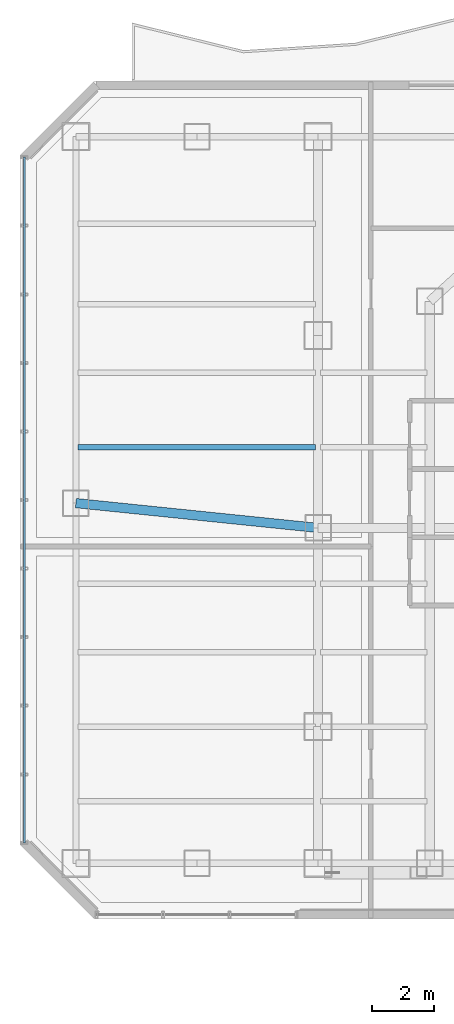
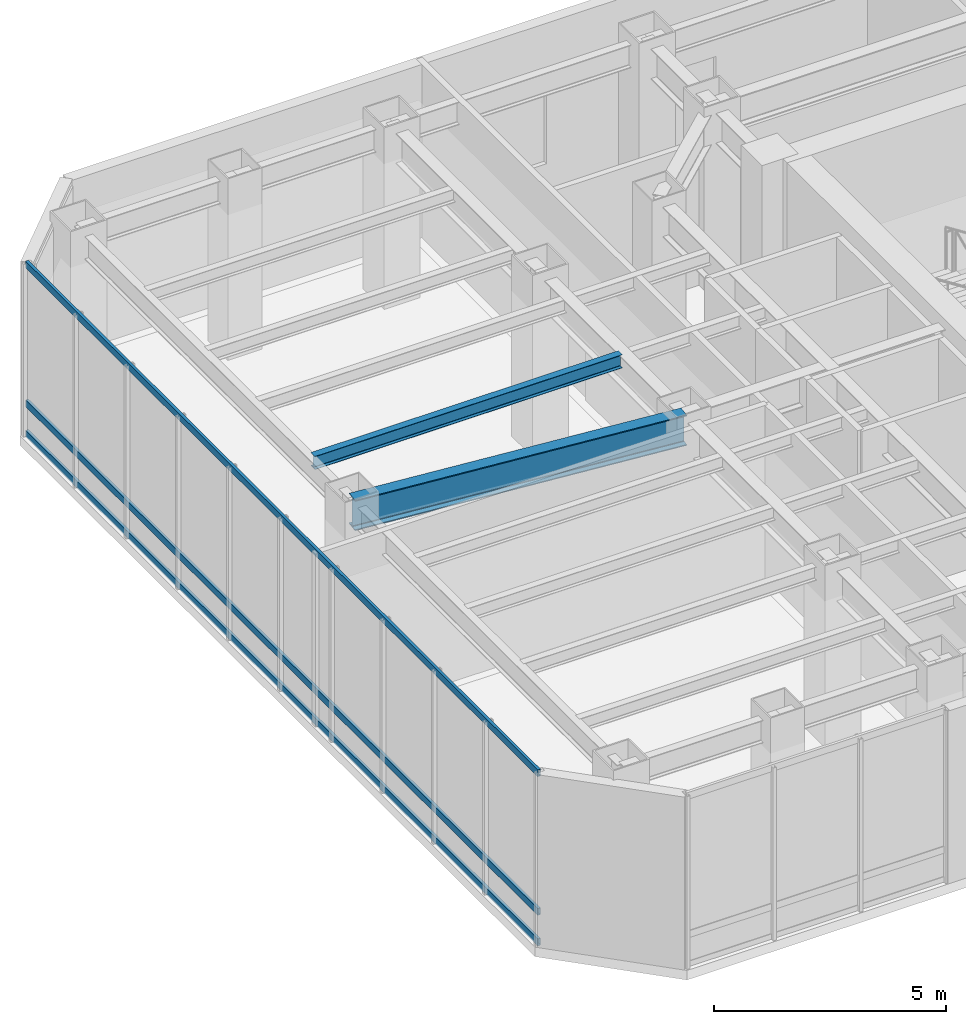
# One storey, part 12 of 27: 3 members, 2 beams, 1 element without a shape of its own.
"""IFC4 building model written with IfcOpenShell, lengths in metres."""

from ifc_helpers import new_model, si_unit, direction, frame, origin, origin_2d, place, context, subcontext, project, spatial, hollow_rectangle, i_section, extrude, material, layer, layer_set, material_profile, profile_set, type_object, element, aggregate, save


model = new_model("IFC4")

# Units and contexts
model_context = context("Model", 3, precision=1e-05, world=origin(), true_north=direction((0.0, 1.0)))
body_context = subcontext(model_context, "Body", "Model", "MODEL_VIEW")
ifc_project = project(units=[si_unit("LENGTHUNIT", "METRE"), si_unit("AREAUNIT", "SQUARE_METRE"), si_unit("VOLUMEUNIT", "CUBIC_METRE"), si_unit("PLANEANGLEUNIT", "RADIAN"), si_unit("MASSUNIT", "GRAM", prefix="KILO")], contexts=[model_context])

# Site, building, storey
site_placement = place(None, origin())
site = spatial("IfcSite", under=ifc_project, at=site_placement, CompositionType="ELEMENT")
building_placement = place(site_placement, origin())
building = spatial("IfcBuilding", under=site, at=building_placement, Name="Hatsunagi Terrace Concourse", CompositionType="ELEMENT")
storey_placement = place(building_placement, frame((0.0, 0.0, 96.449951171875)))
storey = spatial("IfcBuildingStorey", under=building, at=storey_placement, Name="L25", CompositionType="ELEMENT", Elevation=96.449951171875)

# Curtain wall, members
ifc_material_1 = material(Name="Anodised Aluminium Alloy 6063-T5", Category="aluminium")
ifc_layer = layer(ifc_material_1, 0.199951171875)
ifc_layer_set = layer_set([ifc_layer], Name="SkyLobbyAtrium_CW05")
curtain_wall_type = type_object("IfcCurtainWallType", Name="SkyLobbyAtrium_CW05", PredefinedType="NOTDEFINED", material=ifc_layer_set)
curtain_wall_placement = place(storey_placement, origin())
curtain_wall = element("IfcCurtainWall", 1, at=curtain_wall_placement, inside=storey, type_object=curtain_wall_type, Name="Unitised Curtain Wall CW-05 CW-L25-09", PredefinedType="NOTDEFINED")
ifc_material_2 = material(Name="Anodised Aluminium Alloy 6063-T5", Category="aluminium")
ifc_material_profile_1 = material_profile(ifc_material_2, hollow_rectangle(XDim=0.070068359375, YDim=0.179931640625, WallThickness=0.00390625, at=origin_2d()), Name="ALU-TRN-180x70x4")
ifc_profile_set_1 = profile_set([ifc_material_profile_1], Name="Anodised Aluminium Alloy 6063-T5")
member_type = type_object("IfcMemberType", Name="CurtainWallTransom_Heavy_180x70", PredefinedType="USERDEFINED", material=ifc_profile_set_1)
member_1_placement = place(storey_placement, frame((9.739990234375, 25.85791015625, 0.050048828125), z_axis=(0.0, 1.0, 0.0), x_axis=(-1.0, 0.0, 0.0)))
member_1 = element("IfcMember", 2, at=member_1_placement, type_object=member_type, Name="Curtain Wall Transom TRN-01", ObjectType="TRANSOM", PredefinedType="USERDEFINED", context=body_context, shape_type="SweptSolid", body=[
    extrude(hollow_rectangle(XDim=0.070068359375, YDim=0.179931640625, WallThickness=0.00390625, at=origin_2d()), origin(), (0.0, 0.0, 1.0), 22.083984375),
])
member_2_placement = place(storey_placement, frame((9.739990234375, 25.85791015625, 0.85009765625), z_axis=(0.0, 1.0, 0.0), x_axis=(-1.0, 0.0, 0.0)))
member_2 = element("IfcMember", 3, at=member_2_placement, type_object=member_type, Name="Curtain Wall Transom TRN-01", ObjectType="TRANSOM", PredefinedType="USERDEFINED", context=body_context, shape_type="SweptSolid", body=[
    extrude(hollow_rectangle(XDim=0.070068359375, YDim=0.179931640625, WallThickness=0.00390625, at=origin_2d()), origin(), (0.0, 0.0, 1.0), 22.083984375),
])
member_3_placement = place(storey_placement, frame((9.739990234375, 25.85791015625, 4.5), z_axis=(0.0, 1.0, 0.0), x_axis=(-1.0, 0.0, 0.0)))
member_3 = element("IfcMember", 4, at=member_3_placement, type_object=member_type, Name="Curtain Wall Transom TRN-01", ObjectType="TRANSOM", PredefinedType="USERDEFINED", context=body_context, shape_type="SweptSolid", body=[
    extrude(hollow_rectangle(XDim=0.070068359375, YDim=0.179931640625, WallThickness=0.00390625, at=origin_2d()), origin(), (0.0, 0.0, 1.0), 22.083984375),
])
aggregate(curtain_wall, [member_1, member_2, member_3])

# Beams
ifc_material_3 = material(Name="Steel SN490B", Category="steel")
ifc_material_profile_2 = material_profile(ifc_material_3, i_section(OverallWidth=0.175048828125, OverallDepth=0.35009765625, WebThickness=0.007080078125, FlangeThickness=0.010986328125, FilletRadius=0.012939453125, at=origin_2d()), Name="H-350x175x7x11")
ifc_profile_set_2 = profile_set([ifc_material_profile_2], Name="Steel SN490B")
beam_type_1 = type_object("IfcBeamType", Name="HotelJoist_H_350x175", PredefinedType="JOIST", material=ifc_profile_set_2)
beam_1_placement = place(storey_placement, frame((11.465087890625, 38.60009765625, 4.375), z_axis=(1.0, 0.0, 0.0), x_axis=(0.0, 1.0, 0.0)))
element("IfcBeam", 5, at=beam_1_placement, inside=storey, type_object=beam_type_1, Name="Beam J-02 J-L25-W-11-386", PredefinedType="JOIST", context=body_context, shape_type="SweptSolid", body=[
    extrude(i_section(OverallWidth=0.175048828125, OverallDepth=0.35009765625, WebThickness=0.007080078125, FlangeThickness=0.010986328125, FilletRadius=0.012939453125, at=origin_2d()), origin(), (0.0, 0.0, 1.0), 7.64990234375),
])
ifc_material_4 = material(Name="Steel SN490B", Category="steel")
ifc_material_profile_3 = material_profile(ifc_material_4, i_section(OverallWidth=0.300048828125, OverallDepth=0.800048828125, WebThickness=0.013916015625, FlangeThickness=0.02587890625, FilletRadius=0.02197265625, at=origin_2d()), Name="H-800x300x14x26")
ifc_profile_set_3 = profile_set([ifc_material_profile_3], Name="Steel SN490B")
beam_type_2 = type_object("IfcBeamType", Name="SkyLobbyGirder_H_800x300", PredefinedType="BEAM", material=ifc_profile_set_3)
beam_2_placement = place(storey_placement, frame((11.39990234375, 36.800048828125, 4.150146484375), z_axis=(0.994780871372, -0.102034395927, 0.0), x_axis=(0.102034395927, 0.994780871372, 0.0)))
element("IfcBeam", 6, at=beam_2_placement, inside=storey, type_object=beam_type_2, Name="Beam G-03 BM-L25-EW-2", PredefinedType="BEAM", context=body_context, shape_type="SweptSolid", body=[
    extrude(i_section(OverallWidth=0.300048828125, OverallDepth=0.800048828125, WebThickness=0.013916015625, FlangeThickness=0.02587890625, FilletRadius=0.02197265625, at=origin_2d()), origin(), (0.0, 0.0, 1.0), 7.841064453125),
])

save(model, "model.ifc")
